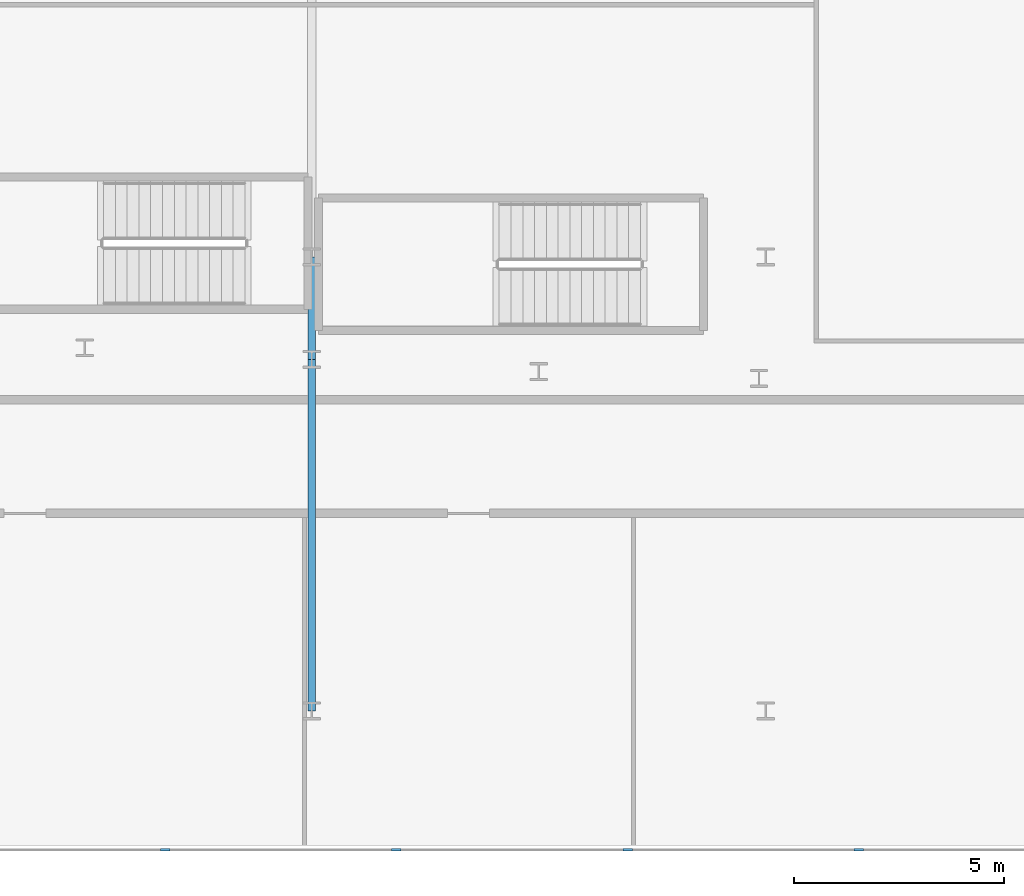
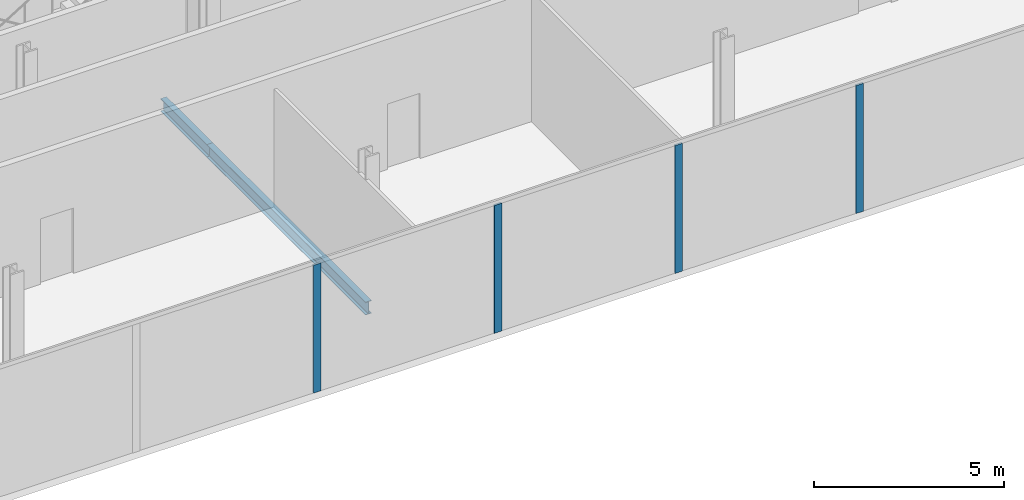
# One storey, part 10 of 47: 4 members, 2 beams, 1 element without a shape of its own.
"""IFC4 building model written with IfcOpenShell, lengths in metres."""

from ifc_helpers import new_model, si_unit, direction, frame, origin, origin_2d, place, context, subcontext, project, spatial, rectangle, i_section, extrude, material, layer, layer_set, material_profile, profile_set, type_object, element, aggregate, save


model = new_model("IFC4")

# Units and contexts
model_context = context("Model", 3, precision=1e-05, world=origin(), true_north=direction((0.0, 1.0)))
body_context = subcontext(model_context, "Body", "Model", "MODEL_VIEW")
ifc_project = project(units=[si_unit("LENGTHUNIT", "METRE"), si_unit("AREAUNIT", "SQUARE_METRE"), si_unit("VOLUMEUNIT", "CUBIC_METRE"), si_unit("PLANEANGLEUNIT", "RADIAN"), si_unit("MASSUNIT", "GRAM", prefix="KILO")], contexts=[model_context])

# Site, building, storey
site_placement = place(None, origin())
site = spatial("IfcSite", under=ifc_project, at=site_placement, CompositionType="ELEMENT")
building_placement = place(site_placement, origin())
building = spatial("IfcBuilding", under=site, at=building_placement, Name="Kheshtan School and Residences Tower", CompositionType="ELEMENT")
storey_placement = place(building_placement, frame((0.0, 0.0, 21.5)))
storey = spatial("IfcBuildingStorey", under=building, at=storey_placement, Name="L04", CompositionType="ELEMENT", Elevation=21.5)

# Beams
ifc_material_1 = material(Name="Steel ASTM A992 Grade 50", Category="steel")
ifc_material_profile_1 = material_profile(ifc_material_1, i_section(OverallWidth=0.180908203125, OverallDepth=0.4169921875, WebThickness=0.010986328125, FlangeThickness=0.018310546875, FilletRadius=0.012451171875, at=origin_2d()), Name="W410x85")
ifc_profile_set_1 = profile_set([ifc_material_profile_1], Name="Steel ASTM A992 Grade 50")
beam_type = type_object("IfcBeamType", Name="Beam PB1 W410x85 ASTM A992 Grade 50", PredefinedType="BEAM", material=ifc_profile_set_1)
beam_1_placement = place(storey_placement, frame((80.0, 13.199951171875, -0.528564453125), z_axis=(0.0, 1.0, 0.0), x_axis=(-1.0, 0.0, 0.0)))
element("IfcBeam", 1, at=beam_1_placement, inside=storey, type_object=beam_type, Name="Podium floor beam PB1", PredefinedType="BEAM", context=body_context, shape_type="SweptSolid", body=[
    extrude(i_section(OverallWidth=0.180908203125, OverallDepth=0.4169921875, WebThickness=0.010986328125, FlangeThickness=0.018310546875, FilletRadius=0.012451171875, at=origin_2d()), origin(), (0.0, 0.0, 1.0), 8.360107421875),
])
beam_2_placement = place(storey_placement, frame((80.0, 21.56005859375, -0.528564453125), z_axis=(0.0, 1.0, 0.0), x_axis=(-1.0, 0.0, 0.0)))
element("IfcBeam", 2, at=beam_2_placement, inside=storey, type_object=beam_type, Name="Podium floor beam PB1", PredefinedType="BEAM", context=body_context, shape_type="SweptSolid", body=[
    extrude(i_section(OverallWidth=0.180908203125, OverallDepth=0.4169921875, WebThickness=0.010986328125, FlangeThickness=0.018310546875, FilletRadius=0.012451171875, at=origin_2d()), origin(), (0.0, 0.0, 1.0), 2.43994140625),
])

# Curtain wall, members
ifc_material_2 = material(Name="Clear low-e glass in thermally broken aluminium frame", Category="aluminium")
ifc_layer = layer(ifc_material_2, 0.22509765625)
ifc_layer_set = layer_set([ifc_layer], Name="Curtain wall CW-P")
curtain_wall_type = type_object("IfcCurtainWallType", Name="Curtain wall CW-P", PredefinedType="NOTDEFINED", material=ifc_layer_set)
curtain_wall_placement = place(storey_placement, origin())
curtain_wall = element("IfcCurtainWall", 3, at=curtain_wall_placement, inside=storey, type_object=curtain_wall_type, Name="Curtain wall CWP12a", PredefinedType="NOTDEFINED")
ifc_material_3 = material(Name="Thermally broken aluminium, dark bronze anodised", Category="aluminium")
ifc_material_profile_2 = material_profile(ifc_material_3, rectangle(XDim=0.06005859375, YDim=0.22509765625, at=origin_2d()), Name="CW-P mullion 60x225")
ifc_profile_set_2 = profile_set([ifc_material_profile_2], Name="Thermally broken aluminium, dark bronze anodised")
member_type = type_object("IfcMemberType", Name="CW-P mullion 60x225", PredefinedType="MULLION", material=ifc_profile_set_2)
member_1_placement = place(storey_placement, frame((93.010986328125, 9.89990234375, 0.0), z_axis=(0.0, 0.0, 1.0), x_axis=(0.0, -1.0, 0.0)))
member_1 = element("IfcMember", 4, at=member_1_placement, type_object=member_type, Name="CWP12a mullion 7", PredefinedType="MULLION", context=body_context, shape_type="SweptSolid", body=[
    extrude(rectangle(XDim=0.06005859375, YDim=0.22509765625, at=origin_2d()), origin(), (0.0, 0.0, 1.0), 4.110107421875),
])
member_2_placement = place(storey_placement, frame((87.5126953125, 9.89990234375, 0.0), z_axis=(0.0, 0.0, 1.0), x_axis=(0.0, -1.0, 0.0)))
member_2 = element("IfcMember", 5, at=member_2_placement, type_object=member_type, Name="CWP12a mullion 8", PredefinedType="MULLION", context=body_context, shape_type="SweptSolid", body=[
    extrude(rectangle(XDim=0.06005859375, YDim=0.22509765625, at=origin_2d()), origin(), (0.0, 0.0, 1.0), 4.110107421875),
])
member_3_placement = place(storey_placement, frame((82.0146484375, 9.89990234375, 0.0), z_axis=(0.0, 0.0, 1.0), x_axis=(0.0, -1.0, 0.0)))
member_3 = element("IfcMember", 6, at=member_3_placement, type_object=member_type, Name="CWP12a mullion 9", PredefinedType="MULLION", context=body_context, shape_type="SweptSolid", body=[
    extrude(rectangle(XDim=0.06005859375, YDim=0.22509765625, at=origin_2d()), origin(), (0.0, 0.0, 1.0), 4.110107421875),
])
member_4_placement = place(storey_placement, frame((76.516357421875, 9.89990234375, 0.0), z_axis=(0.0, 0.0, 1.0), x_axis=(0.0, -1.0, 0.0)))
member_4 = element("IfcMember", 7, at=member_4_placement, type_object=member_type, Name="CWP12a mullion 10", PredefinedType="MULLION", context=body_context, shape_type="SweptSolid", body=[
    extrude(rectangle(XDim=0.06005859375, YDim=0.22509765625, at=origin_2d()), origin(), (0.0, 0.0, 1.0), 4.110107421875),
])
aggregate(curtain_wall, [member_1, member_2, member_3, member_4])

save(model, "model.ifc")
